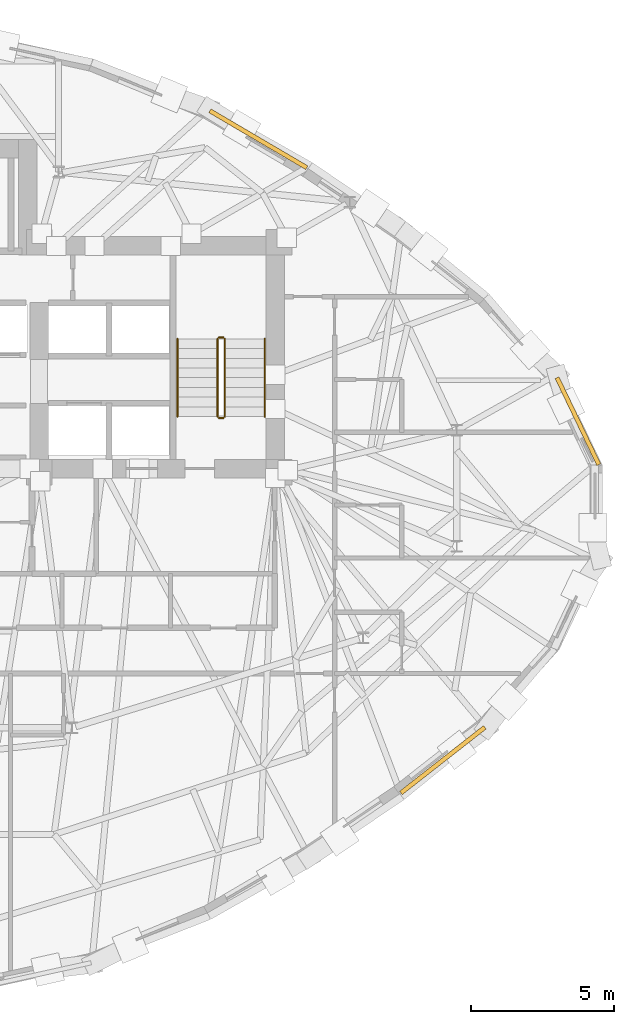
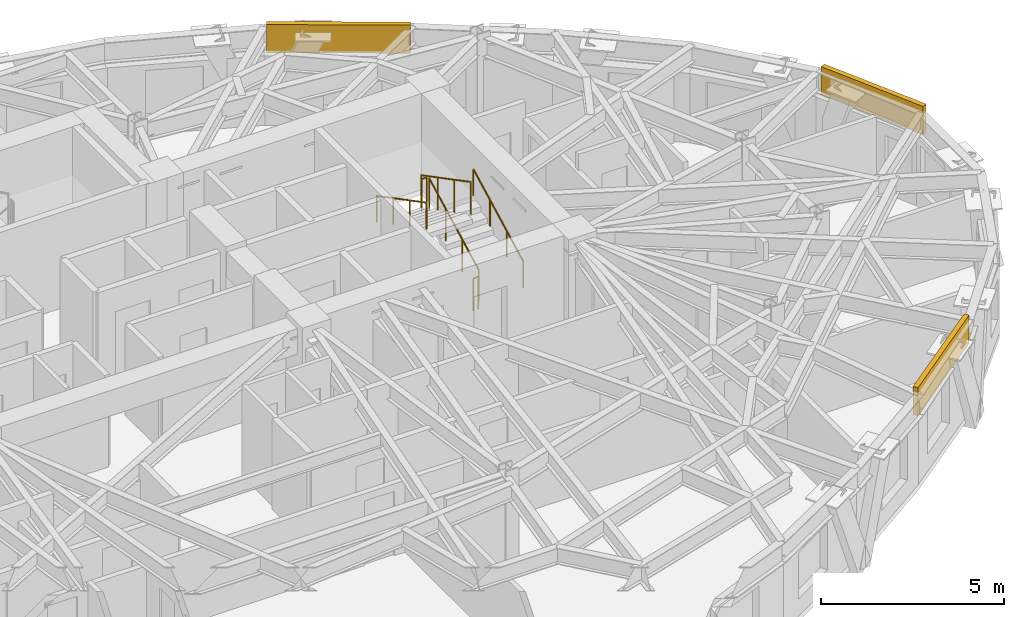
# One storey, part 13 of 14: 6 railings, 3 coverings.
"""IFC4 building model written with IfcOpenShell, lengths in metres."""

from ifc_helpers import new_model, si_unit, direction, frame, origin, origin_2d, place, context, subcontext, project, spatial, rectangle, circle, extrude, material, layer, layer_set, type_object, element, save


model = new_model("IFC4")

# Units and contexts
model_context = context("Model", 3, precision=1e-05, world=origin(), true_north=direction((0.0, 1.0)))
body_context = subcontext(model_context, "Body", "Model", "MODEL_VIEW")
ifc_project = project(units=[si_unit("LENGTHUNIT", "METRE"), si_unit("AREAUNIT", "SQUARE_METRE"), si_unit("VOLUMEUNIT", "CUBIC_METRE"), si_unit("PLANEANGLEUNIT", "RADIAN"), si_unit("MASSUNIT", "GRAM", prefix="KILO")], contexts=[model_context])

# Site, building, storey
site_placement = place(None, origin())
site = spatial("IfcSite", under=ifc_project, at=site_placement, CompositionType="ELEMENT")
building_placement = place(site_placement, origin())
building = spatial("IfcBuilding", under=site, at=building_placement, Name="Keldmark Tower", CompositionType="ELEMENT")
storey_placement = place(building_placement, frame((0.0, 0.0, 185.39990234375)))
storey = spatial("IfcBuildingStorey", under=building, at=storey_placement, Name="L51", CompositionType="ELEMENT", Elevation=185.39990234375)

# Coverings
ifc_material_1 = material(Name="Honed Kasota Buff Dolomitic Limestone", Category="masonry")
ifc_layer = layer(ifc_material_1, 0.074951171875)
ifc_layer_set = layer_set([ifc_layer], Name="Honed Kasota Buff Dolomitic Limestone")
covering_type = type_object("IfcCoveringType", Name="Kasota Buff Limestone Spandrel Cladding Band", PredefinedType="CLADDING", material=ifc_layer_set)
covering_1_placement = place(storey_placement, frame((24.067626953125, 3.191650390625, 2.2392578125), z_axis=(0.0, 0.0, 1.0), x_axis=(-0.432762444771, 0.901507995747, 0.0)))
element("IfcCovering", 1, at=covering_1_placement, inside=storey, type_object=covering_type, Name="L51 Kasota Limestone Spandrel Band 01", PredefinedType="CLADDING", context=body_context, shape_type="SweptSolid", body=[
    extrude(rectangle(XDim=3.37451171875, YDim=0.14990234375, at=origin_2d()), origin(), (0.0, 0.0, 1.0), 0.94091796875),
])
covering_2_placement = place(storey_placement, frame((12.87744140625, 13.061767578125, 2.2392578125), z_axis=(0.0, 0.0, 1.0), x_axis=(-0.862266271476, 0.506455207373, 0.0)))
element("IfcCovering", 2, at=covering_2_placement, inside=storey, type_object=covering_type, Name="L51 Kasota Limestone Spandrel Band 05", PredefinedType="CLADDING", context=body_context, shape_type="SweptSolid", body=[
    extrude(rectangle(XDim=3.9384765625, YDim=0.14990234375, at=origin_2d()), origin(), (0.0, 0.0, 1.0), 0.94091796875),
])
covering_3_placement = place(storey_placement, frame((19.339111328125, -8.68115234375, 2.2392578125), z_axis=(0.0, 0.0, 1.0), x_axis=(0.787537727221, 0.616266442543, 0.0)))
element("IfcCovering", 3, at=covering_3_placement, inside=storey, type_object=covering_type, Name="L51 Kasota Limestone Spandrel Band 29", PredefinedType="CLADDING", context=body_context, shape_type="SweptSolid", body=[
    extrude(rectangle(XDim=3.7294921875, YDim=0.14990234375, at=origin_2d()), origin(), (0.0, 0.0, 1.0), 0.94091796875),
])

# Railings
ifc_material_2 = material(Name="Painted Steel ASTM A500 Grade B", Category="steel")
railing_type_1 = type_object("IfcRailingType", Name="Painted Steel Stair Well Guard 1100 mm", PredefinedType="GUARDRAIL", material=ifc_material_2)
railing_1_placement = place(storey_placement, frame((11.699951171875, 3.35009765625, 0.177978515625)))
element("IfcRailing", 4, at=railing_1_placement, inside=storey, type_object=railing_type_1, Name="L51 ST2 stair guard 1", PredefinedType="GUARDRAIL", context=body_context, shape_type="SweptSolid", body=[
    extrude(circle(Radius=0.02392578125, at=origin_2d()), frame((0.0, 0.0, 1.076171875), z_axis=(0.0, 0.886183135912, 0.463335137482), x_axis=(-1.0, 0.0, 0.0)), (0.0, 0.0, 1.0), 3.0693359375),
    extrude(circle(Radius=0.02099609375, at=origin_2d()), origin(), (0.0, 0.0, 1.0), 1.052001953125),
    extrude(circle(Radius=0.02099609375, at=origin_2d()), frame((0.0, 0.90673828125, 0.47412109375)), (0.0, 0.0, 1.0), 1.052001953125),
    extrude(circle(Radius=0.02099609375, at=origin_2d()), frame((0.0, 1.813232421875, 0.947998046875)), (0.0, 0.0, 1.0), 1.052001953125),
    extrude(circle(Radius=0.02099609375, at=origin_2d()), frame((0.0, 2.719970703125, 1.422119140625)), (0.0, 0.0, 1.0), 1.052001953125),
])
railing_2_placement = place(storey_placement, frame((11.64990234375, 6.1201171875, 1.60009765625)))
element("IfcRailing", 5, at=railing_2_placement, inside=storey, type_object=railing_type_1, Name="L51 ST2 stair guard 2", PredefinedType="GUARDRAIL", context=body_context, shape_type="SweptSolid", body=[
    extrude(circle(Radius=0.02392578125, at=origin_2d()), frame((0.0, 0.0, 1.076171875), z_axis=(-1.0, 0.0, 0.0), x_axis=(0.0, -1.0, 0.0)), (0.0, 0.0, 1.0), 0.14990234375),
    extrude(circle(Radius=0.02099609375, at=origin_2d()), origin(), (0.0, 0.0, 1.0), 1.052001953125),
    extrude(circle(Radius=0.02099609375, at=origin_2d()), frame((-0.14990234375, 0.0, 0.0)), (0.0, 0.0, 1.0), 1.052001953125),
])
railing_3_placement = place(storey_placement, frame((11.449951171875, 6.070068359375, 1.77783203125)))
element("IfcRailing", 6, at=railing_3_placement, inside=storey, type_object=railing_type_1, Name="L51 ST2 stair guard 3", PredefinedType="GUARDRAIL", context=body_context, shape_type="SweptSolid", body=[
    extrude(circle(Radius=0.02392578125, at=origin_2d()), frame((0.0, 0.0, 1.076171875), z_axis=(0.0, -0.886150474775, 0.463397600399), x_axis=(1.0, 0.0, 0.0)), (0.0, 0.0, 1.0), 3.0693359375),
    extrude(circle(Radius=0.02099609375, at=origin_2d()), origin(), (0.0, 0.0, 1.0), 1.052001953125),
    extrude(circle(Radius=0.02099609375, at=origin_2d()), frame((0.0, -0.90673828125, 0.47412109375)), (0.0, 0.0, 1.0), 1.052001953125),
    extrude(circle(Radius=0.02099609375, at=origin_2d()), frame((0.0, -1.813232421875, 0.9482421875)), (0.0, 0.0, 1.0), 1.052001953125),
    extrude(circle(Radius=0.02099609375, at=origin_2d()), frame((0.0, -2.719970703125, 1.42236328125)), (0.0, 0.0, 1.0), 1.052001953125),
])
railing_4_placement = place(storey_placement, frame((11.64990234375, 3.300048828125, 0.0)))
element("IfcRailing", 7, at=railing_4_placement, inside=storey, type_object=railing_type_1, Name="L51 ST2 stair guard 4", PredefinedType="GUARDRAIL", context=body_context, shape_type="SweptSolid", body=[
    extrude(circle(Radius=0.02392578125, at=origin_2d()), frame((0.0, 0.0, 1.076171875), z_axis=(-1.0, 0.0, 0.0), x_axis=(0.0, -1.0, 0.0)), (0.0, 0.0, 1.0), 0.14990234375),
    extrude(circle(Radius=0.02099609375, at=origin_2d()), origin(), (0.0, 0.0, 1.0), 1.052001953125),
    extrude(circle(Radius=0.02099609375, at=origin_2d()), frame((-0.14990234375, 0.0, 0.0)), (0.0, 0.0, 1.0), 1.052001953125),
])
ifc_material_3 = material(Name="Stainless Steel AISI 316L", Category="steel")
railing_type_2 = type_object("IfcRailingType", Name="Stainless Steel Stair Handrail 900 mm", PredefinedType="HANDRAIL", material=ifc_material_3)
railing_5_placement = place(storey_placement, frame((13.10009765625, 3.35009765625, 0.177978515625)))
element("IfcRailing", 8, at=railing_5_placement, inside=storey, type_object=railing_type_2, Name="L51 ST2 stair handrail 1", PredefinedType="HANDRAIL", context=body_context, shape_type="SweptSolid", body=[
    extrude(circle(Radius=0.02392578125, at=origin_2d()), frame((0.0, 0.0, 0.8759765625), z_axis=(0.0, 0.886183135912, 0.463335137482), x_axis=(-1.0, 0.0, 0.0)), (0.0, 0.0, 1.0), 3.0693359375),
    extrude(circle(Radius=0.02099609375, at=origin_2d()), origin(), (0.0, 0.0, 1.0), 0.851806640625),
    extrude(circle(Radius=0.02099609375, at=origin_2d()), frame((0.0, 0.90673828125, 0.47412109375)), (0.0, 0.0, 1.0), 0.851806640625),
    extrude(circle(Radius=0.02099609375, at=origin_2d()), frame((0.0, 1.813232421875, 0.947998046875)), (0.0, 0.0, 1.0), 0.851806640625),
    extrude(circle(Radius=0.02099609375, at=origin_2d()), frame((0.0, 2.719970703125, 1.422119140625)), (0.0, 0.0, 1.0), 0.851806640625),
])
railing_6_placement = place(storey_placement, frame((10.050048828125, 6.070068359375, 1.77783203125)))
element("IfcRailing", 9, at=railing_6_placement, inside=storey, type_object=railing_type_2, Name="L51 ST2 stair handrail 2", PredefinedType="HANDRAIL", context=body_context, shape_type="SweptSolid", body=[
    extrude(circle(Radius=0.02392578125, at=origin_2d()), frame((0.0, 0.0, 0.8759765625), z_axis=(0.0, -0.886150474775, 0.463397600399), x_axis=(1.0, 0.0, 0.0)), (0.0, 0.0, 1.0), 3.0693359375),
    extrude(circle(Radius=0.02099609375, at=origin_2d()), origin(), (0.0, 0.0, 1.0), 0.851806640625),
    extrude(circle(Radius=0.02099609375, at=origin_2d()), frame((0.0, -0.90673828125, 0.47412109375)), (0.0, 0.0, 1.0), 0.851806640625),
    extrude(circle(Radius=0.02099609375, at=origin_2d()), frame((0.0, -1.813232421875, 0.9482421875)), (0.0, 0.0, 1.0), 0.851806640625),
    extrude(circle(Radius=0.02099609375, at=origin_2d()), frame((0.0, -2.719970703125, 1.42236328125)), (0.0, 0.0, 1.0), 0.851806640625),
])

save(model, "model.ifc")
